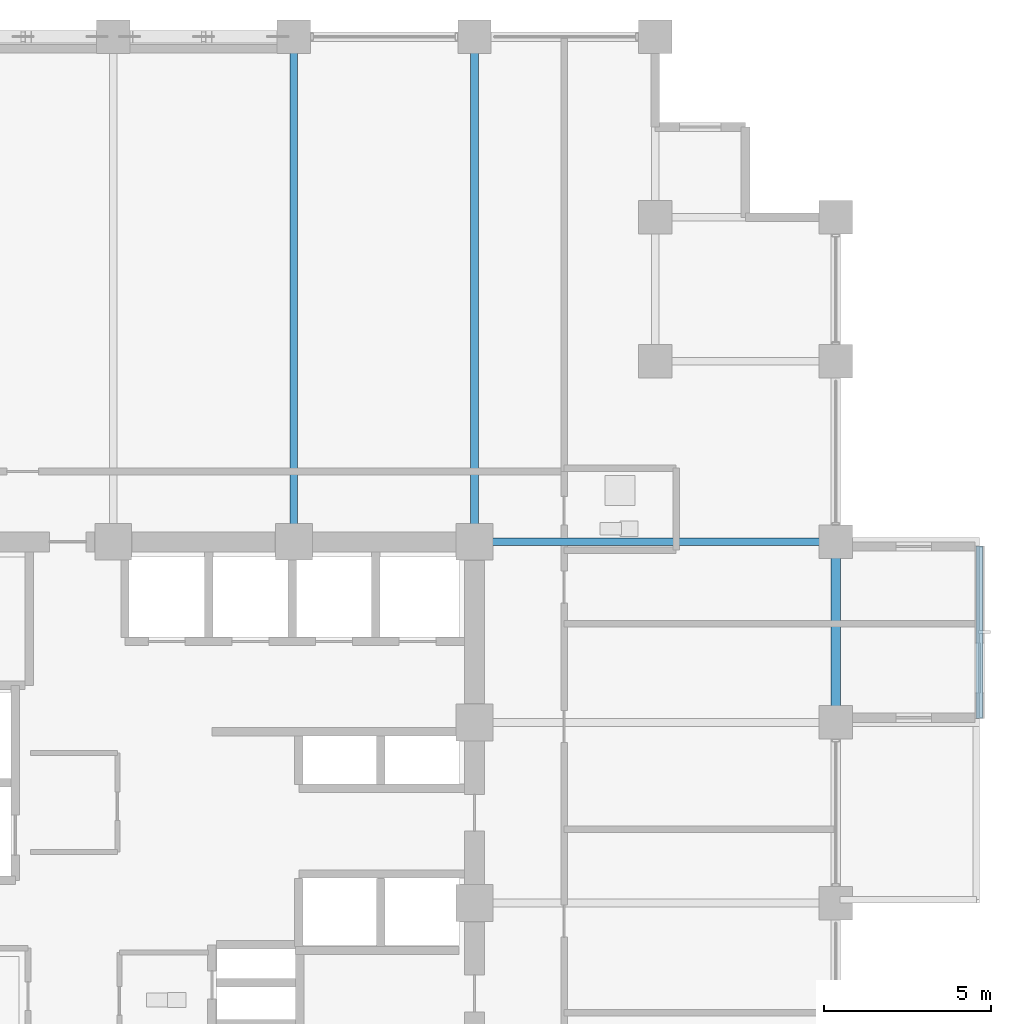
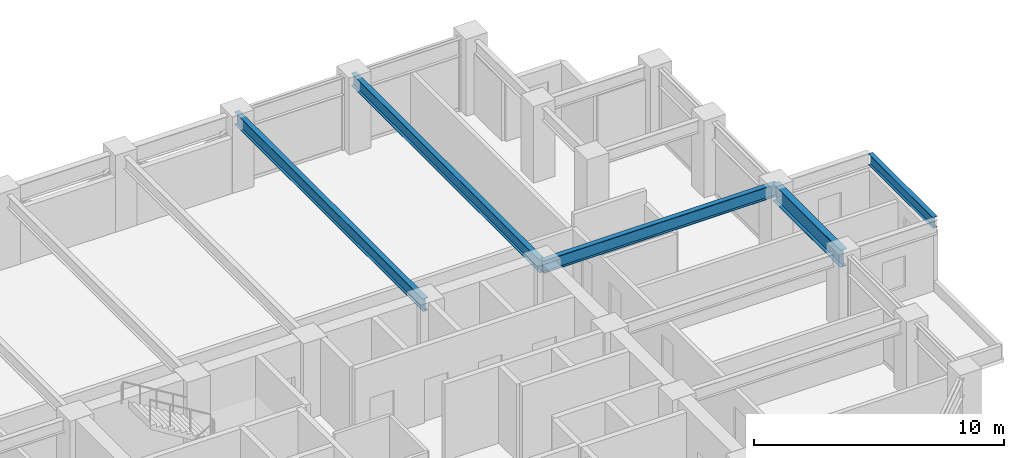
# One storey, part 16 of 29: 5 beams.
"""IFC4 building model written with IfcOpenShell, lengths in metres."""

from ifc_helpers import new_model, si_unit, direction, frame, origin, origin_2d, place, context, subcontext, project, spatial, i_section, extrude, material, material_profile, profile_set, type_object, element, save


model = new_model("IFC4")

# Units and contexts
model_context = context("Model", 3, precision=1e-05, world=origin(), true_north=direction((0.0, 1.0)))
body_context = subcontext(model_context, "Body", "Model", "MODEL_VIEW")
ifc_project = project(units=[si_unit("LENGTHUNIT", "METRE"), si_unit("AREAUNIT", "SQUARE_METRE"), si_unit("VOLUMEUNIT", "CUBIC_METRE"), si_unit("PLANEANGLEUNIT", "RADIAN"), si_unit("MASSUNIT", "GRAM", prefix="KILO")], contexts=[model_context])

# Site, building, storey
site_placement = place(None, origin())
site = spatial("IfcSite", under=ifc_project, at=site_placement, CompositionType="ELEMENT")
building_placement = place(site_placement, origin())
building = spatial("IfcBuilding", under=site, at=building_placement, Name="Surkhivell Harbour Commons", CompositionType="ELEMENT")
storey_placement = place(building_placement, frame((0.0, 0.0, 150.75)))
storey = spatial("IfcBuildingStorey", under=building, at=storey_placement, Name="L39", CompositionType="ELEMENT", Elevation=150.75)

# Beams
ifc_material_1 = material(Name="Steel S355", Category="steel")
ifc_material_profile_1 = material_profile(ifc_material_1, i_section(OverallWidth=0.2099609375, OverallDepth=0.537109375, WebThickness=0.0107421875, FlangeThickness=0.017333984375, at=origin_2d()), Name="UB533x210x101")
ifc_profile_set_1 = profile_set([ifc_material_profile_1], Name="Steel S355")
beam_type_1 = type_object("IfcBeamType", Name="BM-GRD-533B", PredefinedType="BEAM", material=ifc_profile_set_1)
beam_1_placement = place(storey_placement, frame((25.89990234375, 5.52197265625, 3.301513671875), z_axis=(0.0, 1.0, 0.0), x_axis=(-1.0, 0.0, 0.0)))
element("IfcBeam", 1, at=beam_1_placement, inside=storey, type_object=beam_type_1, Name="L39 Box Rim Spandrel (25.9,5.4)", PredefinedType="BEAM", context=body_context, shape_type="SweptSolid", body=[
    extrude(i_section(OverallWidth=0.2099609375, OverallDepth=0.537109375, WebThickness=0.0107421875, FlangeThickness=0.017333984375, at=origin_2d()), origin(), (0.0, 0.0, 1.0), 5.156005859375),
])
ifc_material_profile_2 = material_profile(ifc_material_1, i_section(OverallWidth=0.22998046875, OverallDepth=0.616943359375, WebThickness=0.01318359375, FlangeThickness=0.022216796875, at=origin_2d()), Name="UB610x229x140")
ifc_profile_set_2 = profile_set([ifc_material_profile_2], Name="Steel S355")
beam_type_2 = type_object("IfcBeamType", Name="BM-GRD-610B", PredefinedType="BEAM", material=ifc_profile_set_2)
beam_2_placement = place(storey_placement, frame((10.800048828125, 10.800048828125, 3.261474609375), z_axis=(1.0, 0.0, 0.0), x_axis=(0.0, 1.0, 0.0)))
element("IfcBeam", 2, at=beam_2_placement, inside=storey, type_object=beam_type_2, Name="L39 Cantilever Back-Span Girder (10.8,10.8)", PredefinedType="BEAM", context=body_context, shape_type="SweptSolid", body=[
    extrude(i_section(OverallWidth=0.22998046875, OverallDepth=0.616943359375, WebThickness=0.01318359375, FlangeThickness=0.022216796875, at=origin_2d()), origin(), (0.0, 0.0, 1.0), 10.800048828125),
])
for number, where, z_axis, x_axis, name in (
    (3, (5.39990234375, 10.800048828125, 3.261474609375), (0.0, 1.0, 0.0), (-1.0, 0.0, 0.0), "L39 Floor Girder (5.4,10.8)"),
    (4, (10.800048828125, 10.800048828125, 3.261474609375), (0.0, 1.0, 0.0), (-1.0, 0.0, 0.0), "L39 Floor Girder (10.8,10.8)"),
):
    element("IfcBeam", number, at=place(storey_placement, frame(where, z_axis=z_axis, x_axis=x_axis)), inside=storey, type_object=beam_type_2, Name=name, PredefinedType="BEAM", context=body_context, shape_type="SweptSolid", body=[
        extrude(i_section(OverallWidth=0.22998046875, OverallDepth=0.616943359375, WebThickness=0.01318359375, FlangeThickness=0.022216796875, at=origin_2d()), origin(), (0.0, 0.0, 1.0), 15.099853515625),
    ])
ifc_material_2 = material(Name="Steel S460", Category="steel")
ifc_material_profile_3 = material_profile(ifc_material_2, i_section(OverallWidth=0.2939453125, OverallDepth=0.85107421875, WebThickness=0.01611328125, FlangeThickness=0.02685546875, at=origin_2d()), Name="UB838x292x226")
ifc_profile_set_3 = profile_set([ifc_material_profile_3], Name="Steel S460")
beam_type_3 = type_object("IfcBeamType", Name="BM-SPN-838", PredefinedType="SPANDREL", material=ifc_profile_set_3)
beam_3_placement = place(storey_placement, frame((21.60009765625, 5.39990234375, 3.14453125), z_axis=(0.0, 1.0, 0.0), x_axis=(-1.0, 0.0, 0.0)))
element("IfcBeam", 5, at=beam_3_placement, inside=storey, type_object=beam_type_3, Name="L39 Tube Spandrel (21.6,5.4)", PredefinedType="SPANDREL", context=body_context, shape_type="SweptSolid", body=[
    extrude(i_section(OverallWidth=0.2939453125, OverallDepth=0.85107421875, WebThickness=0.01611328125, FlangeThickness=0.02685546875, at=origin_2d()), origin(), (0.0, 0.0, 1.0), 5.400146484375),
])

save(model, "model.ifc")
